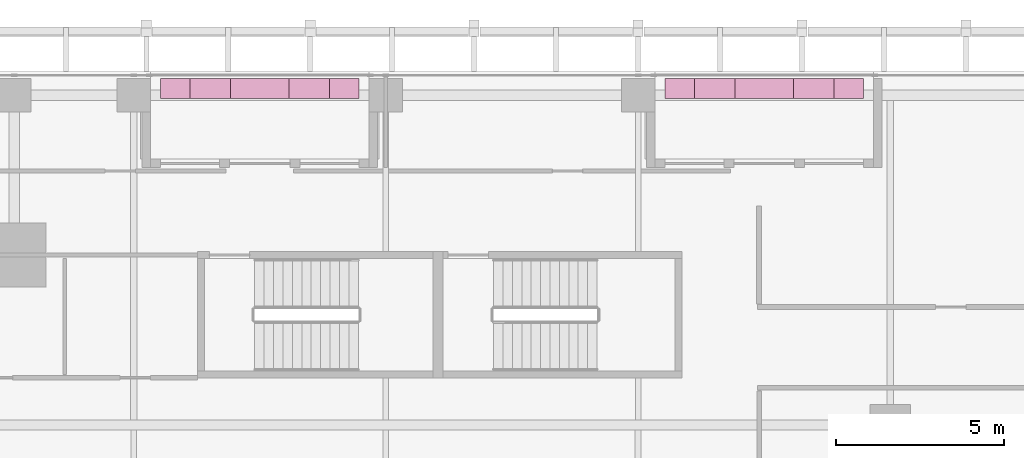
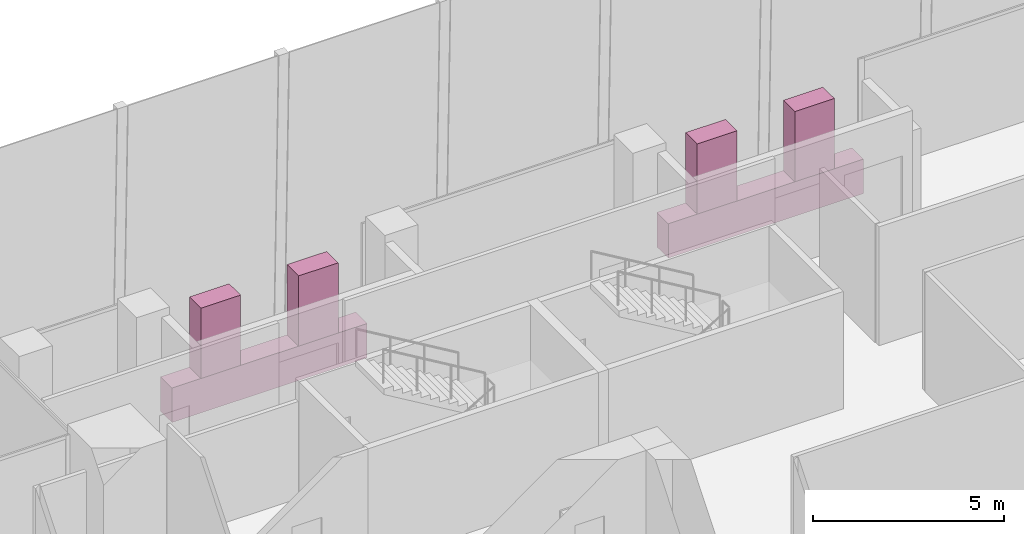
# One storey, part 35 of 35: 6 furnishings.
"""IFC4 building model written with IfcOpenShell, lengths in metres."""

from ifc_helpers import new_model, si_unit, direction, frame, origin, origin_2d, place, context, subcontext, project, spatial, rectangle, extrude, source, transform, mapped, material, type_object, element, save


model = new_model("IFC4")

# Units and contexts
model_context = context("Model", 3, precision=1e-05, world=origin(), true_north=direction((0.0, 1.0)))
body_context = subcontext(model_context, "Body", "Model", "MODEL_VIEW")
ifc_project = project(units=[si_unit("LENGTHUNIT", "METRE"), si_unit("AREAUNIT", "SQUARE_METRE"), si_unit("VOLUMEUNIT", "CUBIC_METRE"), si_unit("PLANEANGLEUNIT", "RADIAN"), si_unit("MASSUNIT", "GRAM", prefix="KILO")], contexts=[model_context])

# Site, building, storey
site_placement = place(None, origin())
site = spatial("IfcSite", under=ifc_project, at=site_placement, CompositionType="ELEMENT")
building_placement = place(site_placement, origin())
building = spatial("IfcBuilding", under=site, at=building_placement, Name="Khomas Fold Tower", CompositionType="ELEMENT")
storey_placement = place(building_placement, frame((0.0, 0.0, 212.699951171875)))
storey = spatial("IfcBuildingStorey", under=building, at=storey_placement, Name="L47", CompositionType="ELEMENT", Elevation=212.699951171875)

# Furnishings
ifc_material_1 = material(Name="Precast concrete C40/50", Category="concrete")
furnishing_element_type_1 = type_object("IfcFurnishingElementType", Name="BL-Structural planter box", material=ifc_material_1)
shared_shape_1 = source(origin(), body_context, "Body", "SweptSolid", [
    extrude(rectangle(XDim=5.89990234375, YDim=0.60009765625, at=origin_2d()), origin(), (0.0, 0.0, 1.0), 1.10009765625),
])
for number, where, z_axis, x_axis, name in (
    (1, (15.75, 50.5, -0.044921875), (0.0, 0.0, 1.0), (1.0, 0.0, 0.0), "PLANTER BAL-L47-N1"),
    (2, (30.75, 50.5, -0.044921875), (0.0, 0.0, 1.0), (1.0, 0.0, 0.0), "PLANTER BAL-L47-N3"),
):
    element("IfcFurnishingElement", number, at=place(storey_placement, frame(where, z_axis=z_axis, x_axis=x_axis)), inside=storey, type_object=furnishing_element_type_1, Name=name, context=body_context, shape_type="MappedRepresentation", body=[
        mapped(shared_shape_1, transform((0.0, 0.0, 0.0))),
    ])
ifc_material_2 = material(Name="Planting")
furnishing_element_type_2 = type_object("IfcFurnishingElementType", Name="BL-Tree Wild olive", material=ifc_material_2)
shared_shape_2 = source(origin(), body_context, "Body", "SweptSolid", [
    extrude(rectangle(XDim=1.199951171875, YDim=0.60009765625, at=origin_2d()), origin(), (0.0, 0.0, 1.0), 2.2451171875),
])
furnishing_1_placement = place(storey_placement, frame((14.27490234375, 50.5, 1.054931640625), z_axis=(0.0, 0.0, 1.0), x_axis=(1.0, 0.0, 0.0)))
element("IfcFurnishingElement", 3, at=furnishing_1_placement, inside=storey, type_object=furnishing_element_type_2, Name="PLANTER (TREE) Wild olive BAL-L47-N1-1", context=body_context, shape_type="MappedRepresentation", body=[
    mapped(shared_shape_2, transform((0.0, 0.0, 0.0))),
])
ifc_material_3 = material(Name="Planting")
furnishing_element_type_3 = type_object("IfcFurnishingElementType", Name="BL-Tree Shepherd's tree", material=ifc_material_3)
for number, where, z_axis, x_axis, name in (
    (4, (17.22509765625, 50.5, 1.054931640625), (0.0, 0.0, 1.0), (1.0, 0.0, 0.0), "PLANTER (TREE) Shepherd's tree BAL-L47-N1-2"),
    (5, (29.27490234375, 50.5, 1.054931640625), (0.0, 0.0, 1.0), (1.0, 0.0, 0.0), "PLANTER (TREE) Shepherd's tree BAL-L47-N3-1"),
):
    element("IfcFurnishingElement", number, at=place(storey_placement, frame(where, z_axis=z_axis, x_axis=x_axis)), inside=storey, type_object=furnishing_element_type_3, Name=name, context=body_context, shape_type="MappedRepresentation", body=[
        mapped(shared_shape_2, transform((0.0, 0.0, 0.0))),
    ])
ifc_material_4 = material(Name="Planting")
furnishing_element_type_4 = type_object("IfcFurnishingElementType", Name="BL-Tree Karee", material=ifc_material_4)
furnishing_2_placement = place(storey_placement, frame((32.22509765625, 50.5, 1.054931640625), z_axis=(0.0, 0.0, 1.0), x_axis=(1.0, 0.0, 0.0)))
element("IfcFurnishingElement", 6, at=furnishing_2_placement, inside=storey, type_object=furnishing_element_type_4, Name="PLANTER (TREE) Karee BAL-L47-N3-2", context=body_context, shape_type="MappedRepresentation", body=[
    mapped(shared_shape_2, transform((0.0, 0.0, 0.0))),
])

save(model, "model.ifc")
